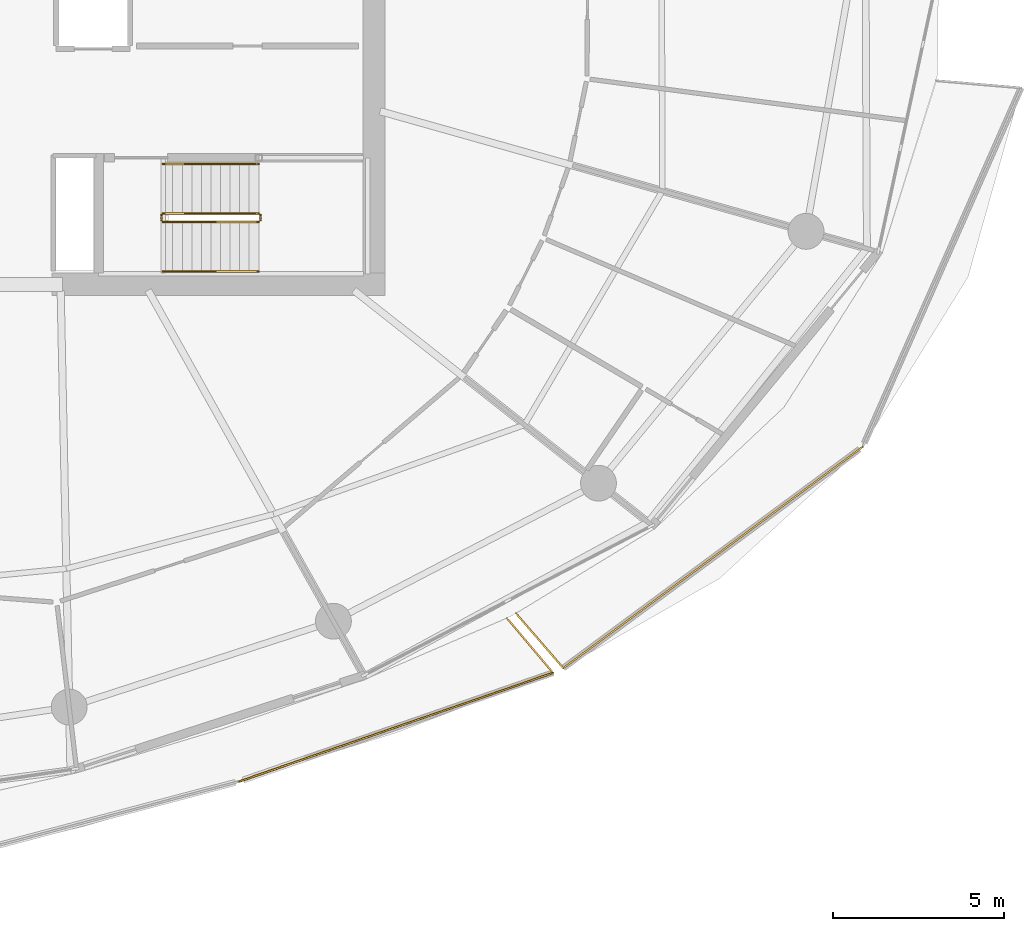
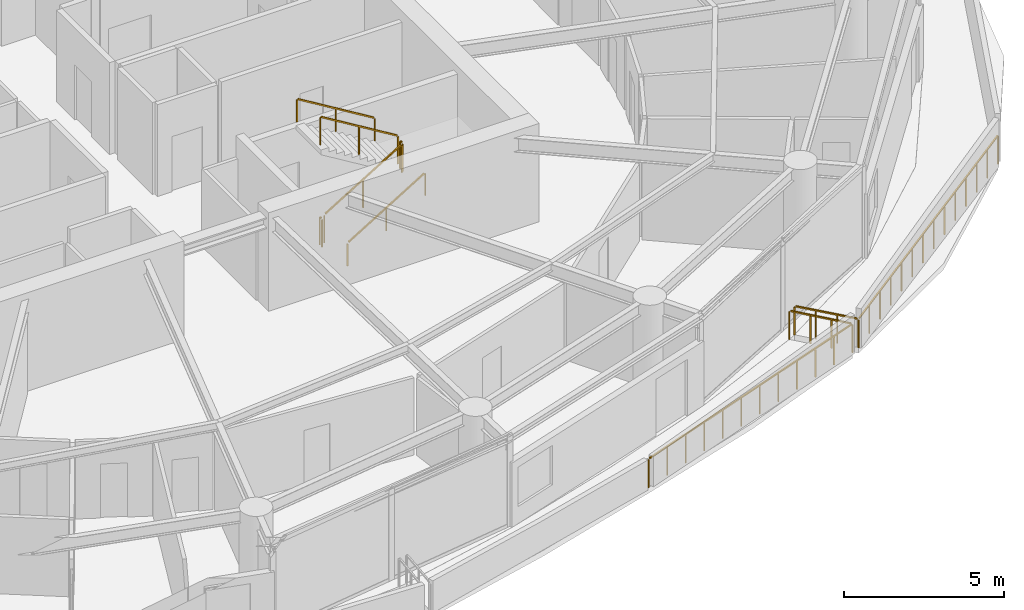
# One storey, part 18 of 20: 10 railings.
"""IFC4 building model written with IfcOpenShell, lengths in metres."""

from ifc_helpers import new_model, si_unit, direction, frame, origin, origin_2d, place, context, subcontext, project, spatial, rectangle, extrude, material, type_object, element, save


model = new_model("IFC4")

# Units and contexts
model_context = context("Model", 3, precision=1e-05, world=origin(), true_north=direction((0.0, 1.0)))
body_context = subcontext(model_context, "Body", "Model", "MODEL_VIEW")
ifc_project = project(units=[si_unit("LENGTHUNIT", "METRE"), si_unit("AREAUNIT", "SQUARE_METRE"), si_unit("VOLUMEUNIT", "CUBIC_METRE"), si_unit("PLANEANGLEUNIT", "RADIAN"), si_unit("MASSUNIT", "GRAM", prefix="KILO")], contexts=[model_context])

# Site, building, storey
site_placement = place(None, origin())
site = spatial("IfcSite", under=ifc_project, at=site_placement, CompositionType="ELEMENT")
building_placement = place(site_placement, origin())
building = spatial("IfcBuilding", under=site, at=building_placement, Name="Kazma Halo Residences", CompositionType="ELEMENT")
storey_placement = place(building_placement, frame((0.0, 0.0, 214.050048828125)))
storey = spatial("IfcBuildingStorey", under=building, at=storey_placement, Name="L54", CompositionType="ELEMENT", Elevation=214.050048828125)

# Railings
ifc_material_1 = material(Name="Aluminium AW-6063 T6 Brushed Cap Rail", Category="aluminium")
railing_type_1 = type_object("IfcRailingType", Name="RLG-BAL-CAP-1120", PredefinedType="BALUSTRADE", material=ifc_material_1)
railing_1_placement = place(storey_placement, frame((55.43310546875, 19.123046875, 0.0)))
element("IfcRailing", 1, at=railing_1_placement, inside=storey, type_object=railing_type_1, Name="L54 SSE wave balcony guard 3", PredefinedType="BALUSTRADE", context=body_context, shape_type="SweptSolid", body=[
    extrude(rectangle(XDim=0.050048828125, YDim=0.050048828125, at=origin_2d()), frame((0.040283203125, 0.013916015625, 1.09521484375), z_axis=(0.944943650986, 0.327233091941, 0.0), x_axis=(-0.327233091941, 0.944943650986, 0.0)), (0.0, 0.0, 1.0), 9.632568359375),
    extrude(rectangle(XDim=0.0400390625, YDim=0.0400390625, at=origin_2d()), origin(), (0.0, 0.0, 1.0), 1.05810546875),
    extrude(rectangle(XDim=0.0400390625, YDim=0.0400390625, at=origin_2d()), frame((0.834716796875, 0.2890625, 0.0)), (0.0, 0.0, 1.0), 1.05810546875),
    extrude(rectangle(XDim=0.0400390625, YDim=0.0400390625, at=origin_2d()), frame((1.669677734375, 0.578125, 0.0)), (0.0, 0.0, 1.0), 1.05810546875),
    extrude(rectangle(XDim=0.0400390625, YDim=0.0400390625, at=origin_2d()), frame((2.50439453125, 0.8671875, 0.0)), (0.0, 0.0, 1.0), 1.05810546875),
    extrude(rectangle(XDim=0.0400390625, YDim=0.0400390625, at=origin_2d()), frame((3.339111328125, 1.15625, 0.0)), (0.0, 0.0, 1.0), 1.05810546875),
    extrude(rectangle(XDim=0.0400390625, YDim=0.0400390625, at=origin_2d()), frame((4.173828125, 1.4453125, 0.0)), (0.0, 0.0, 1.0), 1.05810546875),
    extrude(rectangle(XDim=0.0400390625, YDim=0.0400390625, at=origin_2d()), frame((5.0087890625, 1.734619140625, 0.0)), (0.0, 0.0, 1.0), 1.05810546875),
    extrude(rectangle(XDim=0.0400390625, YDim=0.0400390625, at=origin_2d()), frame((5.843505859375, 2.023681640625, 0.0)), (0.0, 0.0, 1.0), 1.05810546875),
    extrude(rectangle(XDim=0.0400390625, YDim=0.0400390625, at=origin_2d()), frame((6.67822265625, 2.312744140625, 0.0)), (0.0, 0.0, 1.0), 1.05810546875),
    extrude(rectangle(XDim=0.0400390625, YDim=0.0400390625, at=origin_2d()), frame((7.512939453125, 2.601806640625, 0.0)), (0.0, 0.0, 1.0), 1.05810546875),
    extrude(rectangle(XDim=0.0400390625, YDim=0.0400390625, at=origin_2d()), frame((8.347900390625, 2.890869140625, 0.0)), (0.0, 0.0, 1.0), 1.05810546875),
    extrude(rectangle(XDim=0.0400390625, YDim=0.0400390625, at=origin_2d()), frame((9.1826171875, 3.179931640625, 0.0)), (0.0, 0.0, 1.0), 1.05810546875),
])
railing_2_placement = place(storey_placement, frame((64.61572265625, 22.302978515625, 0.0)))
element("IfcRailing", 2, at=railing_2_placement, inside=storey, type_object=railing_type_1, Name="L54 SSE wave balcony guard 4", PredefinedType="BALUSTRADE", context=body_context, shape_type="SweptSolid", body=[
    extrude(rectangle(XDim=0.050048828125, YDim=0.050048828125, at=origin_2d()), frame((-0.02734375, 0.032470703125, 1.09521484375), z_axis=(-0.644734794394, 0.764406334941, 0.0), x_axis=(-0.764406334941, -0.644734794394, 0.0)), (0.0, 0.0, 1.0), 2.010009765625),
    extrude(rectangle(XDim=0.0400390625, YDim=0.0400390625, at=origin_2d()), origin(), (0.0, 0.0, 1.0), 1.05810546875),
    extrude(rectangle(XDim=0.0400390625, YDim=0.0400390625, at=origin_2d()), frame((-0.4501953125, 0.533935546875, 0.0)), (0.0, 0.0, 1.0), 1.05810546875),
    extrude(rectangle(XDim=0.0400390625, YDim=0.0400390625, at=origin_2d()), frame((-0.900634765625, 1.067626953125, 0.0)), (0.0, 0.0, 1.0), 1.05810546875),
    extrude(rectangle(XDim=0.0400390625, YDim=0.0400390625, at=origin_2d()), frame((-1.350830078125, 1.6015625, 0.0)), (0.0, 0.0, 1.0), 1.05810546875),
])
railing_3_placement = place(storey_placement, frame((63.528564453125, 24.041748046875, 0.0)))
element("IfcRailing", 3, at=railing_3_placement, inside=storey, type_object=railing_type_1, Name="L54 SE wave balcony guard 1", PredefinedType="BALUSTRADE", context=body_context, shape_type="SweptSolid", body=[
    extrude(rectangle(XDim=0.050048828125, YDim=0.050048828125, at=origin_2d()), frame((0.02783203125, -0.0322265625, 1.09521484375), z_axis=(0.654087786706, -0.756418645514, 0.0), x_axis=(0.756418645514, 0.654087786706, 0.0)), (0.0, 0.0, 1.0), 2.033447265625),
    extrude(rectangle(XDim=0.0400390625, YDim=0.0400390625, at=origin_2d()), origin(), (0.0, 0.0, 1.0), 1.05810546875),
    extrude(rectangle(XDim=0.0400390625, YDim=0.0400390625, at=origin_2d()), frame((0.4619140625, -0.5341796875, 0.0)), (0.0, 0.0, 1.0), 1.05810546875),
    extrude(rectangle(XDim=0.0400390625, YDim=0.0400390625, at=origin_2d()), frame((0.923828125, -1.068359375, 0.0)), (0.0, 0.0, 1.0), 1.05810546875),
    extrude(rectangle(XDim=0.0400390625, YDim=0.0400390625, at=origin_2d()), frame((1.3857421875, -1.6025390625, 0.0)), (0.0, 0.0, 1.0), 1.05810546875),
])
railing_4_placement = place(storey_placement, frame((64.914306640625, 22.439208984375, 0.0)))
element("IfcRailing", 4, at=railing_4_placement, inside=storey, type_object=railing_type_1, Name="L54 SE wave balcony guard 2", PredefinedType="BALUSTRADE", context=body_context, shape_type="SweptSolid", body=[
    extrude(rectangle(XDim=0.050048828125, YDim=0.050048828125, at=origin_2d()), frame((0.0341796875, 0.025390625, 1.09521484375), z_axis=(0.804264589015, 0.594271378123, 0.0), x_axis=(-0.594271378123, 0.804264589015, 0.0)), (0.0, 0.0, 1.0), 10.813232421875),
    extrude(rectangle(XDim=0.0400390625, YDim=0.0400390625, at=origin_2d()), origin(), (0.0, 0.0, 1.0), 1.05810546875),
    extrude(rectangle(XDim=0.0400390625, YDim=0.0400390625, at=origin_2d()), frame((0.67431640625, 0.498291015625, 0.0)), (0.0, 0.0, 1.0), 1.05810546875),
    extrude(rectangle(XDim=0.0400390625, YDim=0.0400390625, at=origin_2d()), frame((1.348388671875, 0.996337890625, 0.0)), (0.0, 0.0, 1.0), 1.05810546875),
    extrude(rectangle(XDim=0.0400390625, YDim=0.0400390625, at=origin_2d()), frame((2.022705078125, 1.49462890625, 0.0)), (0.0, 0.0, 1.0), 1.05810546875),
    extrude(rectangle(XDim=0.0400390625, YDim=0.0400390625, at=origin_2d()), frame((2.697021484375, 1.99267578125, 0.0)), (0.0, 0.0, 1.0), 1.05810546875),
    extrude(rectangle(XDim=0.0400390625, YDim=0.0400390625, at=origin_2d()), frame((3.37109375, 2.490966796875, 0.0)), (0.0, 0.0, 1.0), 1.05810546875),
    extrude(rectangle(XDim=0.0400390625, YDim=0.0400390625, at=origin_2d()), frame((4.04541015625, 2.9892578125, 0.0)), (0.0, 0.0, 1.0), 1.05810546875),
    extrude(rectangle(XDim=0.0400390625, YDim=0.0400390625, at=origin_2d()), frame((4.7197265625, 3.4873046875, 0.0)), (0.0, 0.0, 1.0), 1.05810546875),
    extrude(rectangle(XDim=0.0400390625, YDim=0.0400390625, at=origin_2d()), frame((5.39404296875, 3.985595703125, 0.0)), (0.0, 0.0, 1.0), 1.05810546875),
    extrude(rectangle(XDim=0.0400390625, YDim=0.0400390625, at=origin_2d()), frame((6.068115234375, 4.48388671875, 0.0)), (0.0, 0.0, 1.0), 1.05810546875),
    extrude(rectangle(XDim=0.0400390625, YDim=0.0400390625, at=origin_2d()), frame((6.742431640625, 4.98193359375, 0.0)), (0.0, 0.0, 1.0), 1.05810546875),
    extrude(rectangle(XDim=0.0400390625, YDim=0.0400390625, at=origin_2d()), frame((7.416748046875, 5.480224609375, 0.0)), (0.0, 0.0, 1.0), 1.05810546875),
    extrude(rectangle(XDim=0.0400390625, YDim=0.0400390625, at=origin_2d()), frame((8.0908203125, 5.978271484375, 0.0)), (0.0, 0.0, 1.0), 1.05810546875),
    extrude(rectangle(XDim=0.0400390625, YDim=0.0400390625, at=origin_2d()), frame((8.76513671875, 6.4765625, 0.0)), (0.0, 0.0, 1.0), 1.05810546875),
])
ifc_material_2 = material(Name="Painted Steel S355", Category="steel")
railing_type_2 = type_object("IfcRailingType", Name="RLG-STAIR-GRD-1100", PredefinedType="GUARDRAIL", material=ifc_material_2)
railing_5_placement = place(storey_placement, frame((53.199951171875, 35.5, 0.17041015625)))
element("IfcRailing", 5, at=railing_5_placement, inside=storey, type_object=railing_type_2, Name="L54 ST-03 stair guard 1", PredefinedType="GUARDRAIL", context=body_context, shape_type="SweptSolid", body=[
    extrude(rectangle(XDim=0.050048828125, YDim=0.050048828125, at=origin_2d()), frame((0.036376953125, 0.0, 1.09716796875), z_axis=(0.854169791009, 0.0, 0.51999420009), x_axis=(0.0, 1.0, 0.0)), (0.0, 0.0, 1.0), 3.193115234375),
    extrude(rectangle(XDim=0.0400390625, YDim=0.0400390625, at=origin_2d()), origin(), (0.0, 0.0, 1.0), 1.0380859375),
    extrude(rectangle(XDim=0.0400390625, YDim=0.0400390625, at=origin_2d()), frame((1.39990234375, 0.0, 0.852294921875)), (0.0, 0.0, 1.0), 1.0380859375),
    extrude(rectangle(XDim=0.0400390625, YDim=0.0400390625, at=origin_2d()), frame((2.800048828125, 0.0, 1.70458984375)), (0.0, 0.0, 1.0), 1.0380859375),
])
railing_6_placement = place(storey_placement, frame((56.050048828125, 35.550048828125, 1.875)))
element("IfcRailing", 6, at=railing_6_placement, inside=storey, type_object=railing_type_2, Name="L54 ST-03 stair guard 2", PredefinedType="GUARDRAIL", context=body_context, shape_type="SweptSolid", body=[
    extrude(rectangle(XDim=0.050048828125, YDim=0.050048828125, at=origin_2d()), frame((0.0, 0.04248046875, 1.0751953125), z_axis=(0.0, 1.0, 0.0), x_axis=(-1.0, 0.0, 0.0)), (0.0, 0.0, 1.0), 0.06494140625),
    extrude(rectangle(XDim=0.0400390625, YDim=0.0400390625, at=origin_2d()), origin(), (0.0, 0.0, 1.0), 1.0380859375),
    extrude(rectangle(XDim=0.0400390625, YDim=0.0400390625, at=origin_2d()), frame((0.0, 0.14990234375, 0.0)), (0.0, 0.0, 1.0), 1.0380859375),
])
railing_7_placement = place(storey_placement, frame((56.0, 35.75, 2.04541015625)))
element("IfcRailing", 7, at=railing_7_placement, inside=storey, type_object=railing_type_2, Name="L54 ST-03 stair guard 3", PredefinedType="GUARDRAIL", context=body_context, shape_type="SweptSolid", body=[
    extrude(rectangle(XDim=0.050048828125, YDim=0.050048828125, at=origin_2d()), frame((-0.036376953125, 0.0, 1.09716796875), z_axis=(-0.854169791009, 0.0, 0.51999420009), x_axis=(0.0, -1.0, 0.0)), (0.0, 0.0, 1.0), 3.193115234375),
    extrude(rectangle(XDim=0.0400390625, YDim=0.0400390625, at=origin_2d()), origin(), (0.0, 0.0, 1.0), 1.0380859375),
    extrude(rectangle(XDim=0.0400390625, YDim=0.0400390625, at=origin_2d()), frame((-1.39990234375, 0.0, 0.852294921875)), (0.0, 0.0, 1.0), 1.0380859375),
    extrude(rectangle(XDim=0.0400390625, YDim=0.0400390625, at=origin_2d()), frame((-2.800048828125, 0.0, 1.70458984375)), (0.0, 0.0, 1.0), 1.0380859375),
])
railing_8_placement = place(storey_placement, frame((53.14990234375, 35.550048828125, 0.0)))
element("IfcRailing", 8, at=railing_8_placement, inside=storey, type_object=railing_type_2, Name="L54 ST-03 stair guard 4", PredefinedType="GUARDRAIL", context=body_context, shape_type="SweptSolid", body=[
    extrude(rectangle(XDim=0.050048828125, YDim=0.050048828125, at=origin_2d()), frame((0.0, 0.04248046875, 1.0751953125), z_axis=(0.0, 1.0, 0.0), x_axis=(-1.0, 0.0, 0.0)), (0.0, 0.0, 1.0), 0.06494140625),
    extrude(rectangle(XDim=0.0400390625, YDim=0.0400390625, at=origin_2d()), origin(), (0.0, 0.0, 1.0), 1.0380859375),
    extrude(rectangle(XDim=0.0400390625, YDim=0.0400390625, at=origin_2d()), frame((0.0, 0.14990234375, 0.0)), (0.0, 0.0, 1.0), 1.0380859375),
])
ifc_material_3 = material(Name="Brushed Stainless Steel", Category="steel")
railing_type_3 = type_object("IfcRailingType", Name="RLG-STAIR-HND-900", PredefinedType="HANDRAIL", material=ifc_material_3)
railing_9_placement = place(storey_placement, frame((53.199951171875, 34.050048828125, 0.17041015625)))
element("IfcRailing", 9, at=railing_9_placement, inside=storey, type_object=railing_type_3, Name="L54 ST-03 stair handrail 1", PredefinedType="HANDRAIL", context=body_context, shape_type="SweptSolid", body=[
    extrude(rectangle(XDim=0.050048828125, YDim=0.050048828125, at=origin_2d()), frame((0.036376953125, 0.0, 0.89697265625), z_axis=(0.854169791009, 0.0, 0.51999420009), x_axis=(0.0, 1.0, 0.0)), (0.0, 0.0, 1.0), 3.193115234375),
    extrude(rectangle(XDim=0.0400390625, YDim=0.0400390625, at=origin_2d()), origin(), (0.0, 0.0, 1.0), 0.837890625),
    extrude(rectangle(XDim=0.0400390625, YDim=0.0400390625, at=origin_2d()), frame((1.39990234375, 0.0, 0.852294921875)), (0.0, 0.0, 1.0), 0.837890625),
    extrude(rectangle(XDim=0.0400390625, YDim=0.0400390625, at=origin_2d()), frame((2.800048828125, 0.0, 1.70458984375)), (0.0, 0.0, 1.0), 0.837890625),
])
railing_10_placement = place(storey_placement, frame((56.0, 37.199951171875, 2.04541015625)))
element("IfcRailing", 10, at=railing_10_placement, inside=storey, type_object=railing_type_3, Name="L54 ST-03 stair handrail 2", PredefinedType="HANDRAIL", context=body_context, shape_type="SweptSolid", body=[
    extrude(rectangle(XDim=0.050048828125, YDim=0.050048828125, at=origin_2d()), frame((-0.036376953125, 0.0, 0.89697265625), z_axis=(-0.854169791009, 0.0, 0.51999420009), x_axis=(0.0, -1.0, 0.0)), (0.0, 0.0, 1.0), 3.193115234375),
    extrude(rectangle(XDim=0.0400390625, YDim=0.0400390625, at=origin_2d()), origin(), (0.0, 0.0, 1.0), 0.837890625),
    extrude(rectangle(XDim=0.0400390625, YDim=0.0400390625, at=origin_2d()), frame((-1.39990234375, 0.0, 0.852294921875)), (0.0, 0.0, 1.0), 0.837890625),
    extrude(rectangle(XDim=0.0400390625, YDim=0.0400390625, at=origin_2d()), frame((-2.800048828125, 0.0, 1.70458984375)), (0.0, 0.0, 1.0), 0.837890625),
])

save(model, "model.ifc")
